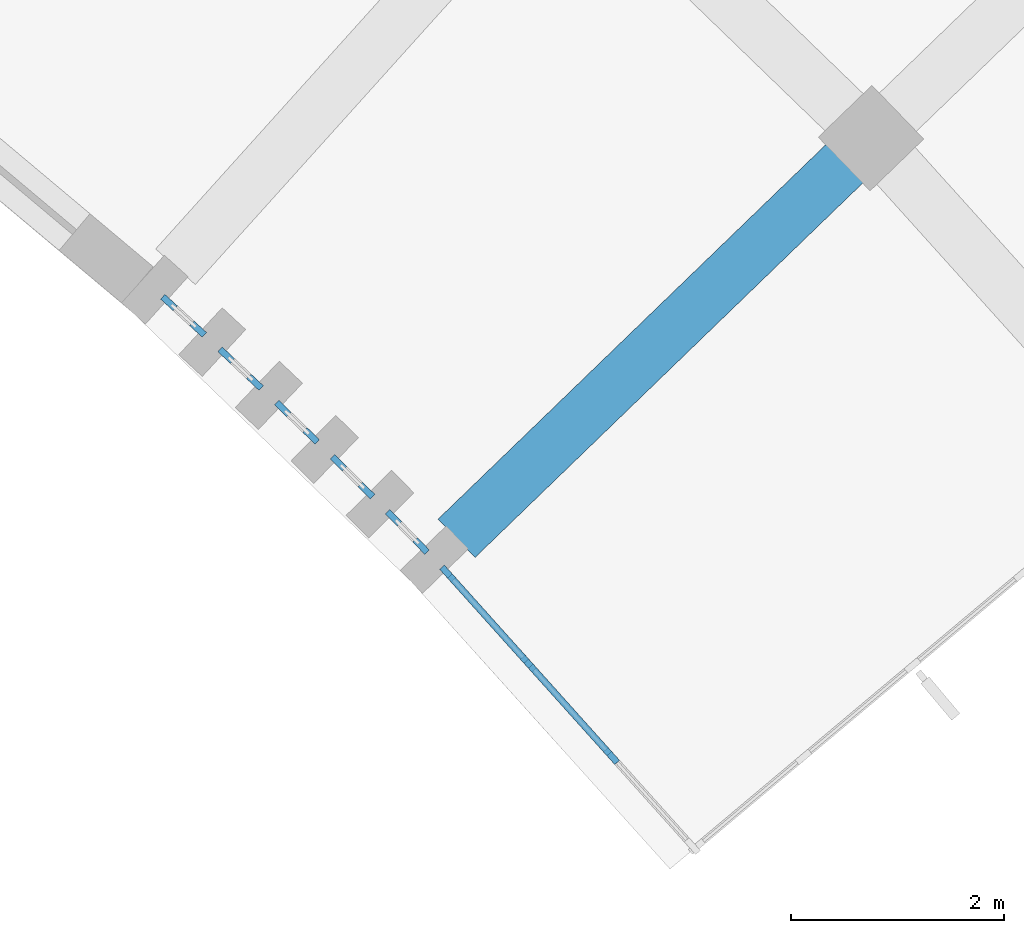
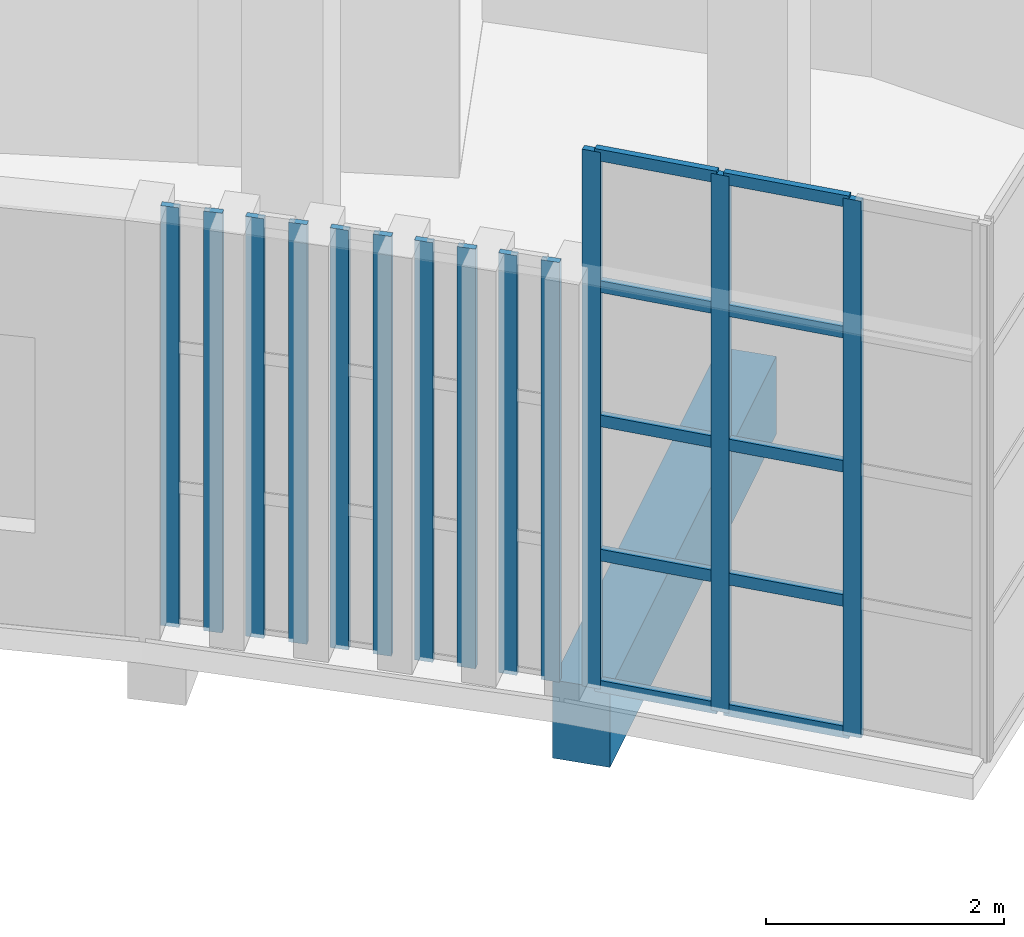
# One storey, part 10 of 112: 23 members, 1 beam, 6 elements without a shape of their own.
"""IFC4 building model written with IfcOpenShell, lengths in metres."""

from ifc_helpers import new_model, si_unit, direction, frame, origin, origin_2d, place, context, subcontext, project, spatial, rectangle, extrude, material, layer, layer_set, material_profile, profile_set, type_object, element, aggregate, save


model = new_model("IFC4")

# Units and contexts
model_context = context("Model", 3, precision=1e-05, world=origin(), true_north=direction((0.0, 1.0)))
body_context = subcontext(model_context, "Body", "Model", "MODEL_VIEW")
ifc_project = project(units=[si_unit("LENGTHUNIT", "METRE"), si_unit("AREAUNIT", "SQUARE_METRE"), si_unit("VOLUMEUNIT", "CUBIC_METRE"), si_unit("PLANEANGLEUNIT", "RADIAN"), si_unit("MASSUNIT", "GRAM", prefix="KILO")], contexts=[model_context])

# Site, building, storey
site_placement = place(None, origin())
site = spatial("IfcSite", under=ifc_project, at=site_placement, CompositionType="ELEMENT")
building_placement = place(site_placement, origin())
building = spatial("IfcBuilding", under=site, at=building_placement, Name="Lunette Opera House", CompositionType="ELEMENT")
storey_placement = place(building_placement, frame((0.0, 0.0, 6.0)))
storey = spatial("IfcBuildingStorey", under=building, at=storey_placement, Name="L01", CompositionType="ELEMENT", Elevation=6.0)

# Curtain wall, members
ifc_material_1 = material(Name="Aluminium", Category="aluminium")
ifc_layer_1 = layer(ifc_material_1, 0.1201171875)
ifc_layer_set_1 = layer_set([ifc_layer_1], Name="Aluminium")
curtain_wall_type_1 = type_object("IfcCurtainWallType", Name="SLOT CURTAIN WALL", PredefinedType="NOTDEFINED", material=ifc_layer_set_1)
curtain_wall_1_placement = place(storey_placement, origin())
curtain_wall_1 = element("IfcCurtainWall", 1, at=curtain_wall_1_placement, inside=storey, type_object=curtain_wall_type_1, Name="Slot Curtain Wall CS076 L01", PredefinedType="NOTDEFINED")
ifc_material_2 = material(Name="Aluminium", Category="aluminium")
ifc_material_profile_1 = material_profile(ifc_material_2, rectangle(XDim=0.06005859375, YDim=0.159912109375, at=origin_2d()), Name="MULLION 60 X 160")
ifc_profile_set_1 = profile_set([ifc_material_profile_1], Name="Aluminium")
member_type_1 = type_object("IfcMemberType", Name="MULLION 60 X 160", PredefinedType="MULLION", material=ifc_profile_set_1)
member_1_placement = place(storey_placement, frame((131.129150390625, 38.745849609375, 0.0), z_axis=(0.0, 0.0, 1.0), x_axis=(0.673828488716, 0.738887791071, 0.0)))
member_1 = element("IfcMember", 2, at=member_1_placement, type_object=member_type_1, Name="FC-X2152 mullion 1", PredefinedType="MULLION", context=body_context, shape_type="SweptSolid", body=[
    extrude(rectangle(XDim=0.06005859375, YDim=0.159912109375, at=origin_2d()), origin(), (0.0, 0.0, 1.0), 4.300048828125),
])
member_2_placement = place(storey_placement, frame((131.40283203125, 38.49609375, 0.0), z_axis=(0.0, 0.0, 1.0), x_axis=(0.673828488716, 0.738887791071, 0.0)))
member_2 = element("IfcMember", 3, at=member_2_placement, type_object=member_type_1, Name="FC-X2152 mullion 2", PredefinedType="MULLION", context=body_context, shape_type="SweptSolid", body=[
    extrude(rectangle(XDim=0.06005859375, YDim=0.159912109375, at=origin_2d()), origin(), (0.0, 0.0, 1.0), 4.300048828125),
])
aggregate(curtain_wall_1, [member_1, member_2])

curtain_wall_2_placement = place(storey_placement, origin())
curtain_wall_2 = element("IfcCurtainWall", 4, at=curtain_wall_2_placement, inside=storey, type_object=curtain_wall_type_1, Name="Slot Curtain Wall CS077 L01", PredefinedType="NOTDEFINED")
member_3_placement = place(storey_placement, frame((131.666748046875, 38.25146484375, 0.0), z_axis=(0.0, 0.0, 1.0), x_axis=(0.685872190933, 0.727722019527, 0.0)))
member_3 = element("IfcMember", 5, at=member_3_placement, type_object=member_type_1, Name="FC-X2154 mullion 1", PredefinedType="MULLION", context=body_context, shape_type="SweptSolid", body=[
    extrude(rectangle(XDim=0.06005859375, YDim=0.159912109375, at=origin_2d()), origin(), (0.0, 0.0, 1.0), 4.300048828125),
])
member_4_placement = place(storey_placement, frame((131.936279296875, 37.99755859375, 0.0), z_axis=(0.0, 0.0, 1.0), x_axis=(0.685872190933, 0.727722019527, 0.0)))
member_4 = element("IfcMember", 6, at=member_4_placement, type_object=member_type_1, Name="FC-X2154 mullion 2", PredefinedType="MULLION", context=body_context, shape_type="SweptSolid", body=[
    extrude(rectangle(XDim=0.06005859375, YDim=0.159912109375, at=origin_2d()), origin(), (0.0, 0.0, 1.0), 4.300048828125),
])
aggregate(curtain_wall_2, [member_3, member_4])

curtain_wall_3_placement = place(storey_placement, origin())
curtain_wall_3 = element("IfcCurtainWall", 7, at=curtain_wall_3_placement, inside=storey, type_object=curtain_wall_type_1, Name="Slot Curtain Wall CS078 L01", PredefinedType="NOTDEFINED")
member_5_placement = place(storey_placement, frame((132.197509765625, 37.750244140625, 0.0), z_axis=(0.0, 0.0, 1.0), x_axis=(0.695382685751, 0.718639631775, 0.0)))
member_5 = element("IfcMember", 8, at=member_5_placement, type_object=member_type_1, Name="FC-X2156 mullion 1", PredefinedType="MULLION", context=body_context, shape_type="SweptSolid", body=[
    extrude(rectangle(XDim=0.06005859375, YDim=0.159912109375, at=origin_2d()), origin(), (0.0, 0.0, 1.0), 4.300048828125),
])
member_6_placement = place(storey_placement, frame((132.46337890625, 37.492919921875, 0.0), z_axis=(0.0, 0.0, 1.0), x_axis=(0.695382685751, 0.718639631775, 0.0)))
member_6 = element("IfcMember", 9, at=member_6_placement, type_object=member_type_1, Name="FC-X2156 mullion 2", PredefinedType="MULLION", context=body_context, shape_type="SweptSolid", body=[
    extrude(rectangle(XDim=0.06005859375, YDim=0.159912109375, at=origin_2d()), origin(), (0.0, 0.0, 1.0), 4.300048828125),
])
aggregate(curtain_wall_3, [member_5, member_6])

curtain_wall_4_placement = place(storey_placement, origin())
curtain_wall_4 = element("IfcCurtainWall", 10, at=curtain_wall_4_placement, inside=storey, type_object=curtain_wall_type_1, Name="Slot Curtain Wall CS079 L01", PredefinedType="NOTDEFINED")
member_7_placement = place(storey_placement, frame((132.72021484375, 37.240966796875, 0.0), z_axis=(0.0, 0.0, 1.0), x_axis=(0.703614959454, 0.710581444194, 0.0)))
member_7 = element("IfcMember", 11, at=member_7_placement, type_object=member_type_1, Name="FC-X2158 mullion 1", PredefinedType="MULLION", context=body_context, shape_type="SweptSolid", body=[
    extrude(rectangle(XDim=0.06005859375, YDim=0.159912109375, at=origin_2d()), origin(), (0.0, 0.0, 1.0), 4.300048828125),
])
member_8_placement = place(storey_placement, frame((132.983642578125, 36.980224609375, 0.0), z_axis=(0.0, 0.0, 1.0), x_axis=(0.703614959454, 0.710581444194, 0.0)))
member_8 = element("IfcMember", 12, at=member_8_placement, type_object=member_type_1, Name="FC-X2158 mullion 2", PredefinedType="MULLION", context=body_context, shape_type="SweptSolid", body=[
    extrude(rectangle(XDim=0.06005859375, YDim=0.159912109375, at=origin_2d()), origin(), (0.0, 0.0, 1.0), 4.300048828125),
])
aggregate(curtain_wall_4, [member_7, member_8])

curtain_wall_5_placement = place(storey_placement, origin())
curtain_wall_5 = element("IfcCurtainWall", 13, at=curtain_wall_5_placement, inside=storey, type_object=curtain_wall_type_1, Name="Slot Curtain Wall CS080 L01", PredefinedType="NOTDEFINED")
member_9_placement = place(storey_placement, frame((133.237060546875, 36.724609375, 0.0), z_axis=(0.0, 0.0, 1.0), x_axis=(0.715187202406, 0.698932947796, 0.0)))
member_9 = element("IfcMember", 14, at=member_9_placement, type_object=member_type_1, Name="FC-X2160 mullion 1", PredefinedType="MULLION", context=body_context, shape_type="SweptSolid", body=[
    extrude(rectangle(XDim=0.06005859375, YDim=0.159912109375, at=origin_2d()), origin(), (0.0, 0.0, 1.0), 4.300048828125),
])
member_10_placement = place(storey_placement, frame((133.49609375, 36.45947265625, 0.0), z_axis=(0.0, 0.0, 1.0), x_axis=(0.715187202406, 0.698932947796, 0.0)))
member_10 = element("IfcMember", 15, at=member_10_placement, type_object=member_type_1, Name="FC-X2160 mullion 2", PredefinedType="MULLION", context=body_context, shape_type="SweptSolid", body=[
    extrude(rectangle(XDim=0.06005859375, YDim=0.159912109375, at=origin_2d()), origin(), (0.0, 0.0, 1.0), 4.300048828125),
])
aggregate(curtain_wall_5, [member_9, member_10])

ifc_material_3 = material(Name="Aluminium", Category="aluminium")
ifc_layer_2 = layer(ifc_material_3, 0.159912109375)
ifc_layer_set_2 = layer_set([ifc_layer_2], Name="Aluminium")
curtain_wall_type_2 = type_object("IfcCurtainWallType", Name="CORNER CURTAIN WALL", PredefinedType="NOTDEFINED", material=ifc_layer_set_2)
curtain_wall_6_placement = place(storey_placement, origin())
curtain_wall_6 = element("IfcCurtainWall", 16, at=curtain_wall_6_placement, inside=storey, type_object=curtain_wall_type_2, Name="Corner Curtain Wall GC-E1 L01", PredefinedType="NOTDEFINED")
member_11_placement = place(storey_placement, frame((133.74609375, 36.20068359375, 0.0), z_axis=(0.0, 0.0, 1.0), x_axis=(0.744216793887, 0.667938143615, 0.0)))
member_11 = element("IfcMember", 17, at=member_11_placement, type_object=member_type_1, Name="FC-X2173 mullion 1", PredefinedType="MULLION", context=body_context, shape_type="SweptSolid", body=[
    extrude(rectangle(XDim=0.06005859375, YDim=0.159912109375, at=origin_2d()), origin(), (0.0, 0.0, 1.0), 5.5),
])
member_12_placement = place(storey_placement, frame((134.50537109375, 35.354736328125, 0.0), z_axis=(0.0, 0.0, 1.0), x_axis=(0.744216793887, 0.667938143615, 0.0)))
member_12 = element("IfcMember", 18, at=member_12_placement, type_object=member_type_1, Name="FC-X2173 mullion 2", PredefinedType="MULLION", context=body_context, shape_type="SweptSolid", body=[
    extrude(rectangle(XDim=0.06005859375, YDim=0.159912109375, at=origin_2d()), origin(), (0.0, 0.0, 1.0), 5.5),
])
member_13_placement = place(storey_placement, frame((135.28466796875, 34.486328125, 0.0), z_axis=(0.0, 0.0, 1.0), x_axis=(0.744216793887, 0.667938143615, 0.0)))
member_13 = element("IfcMember", 19, at=member_13_placement, type_object=member_type_1, Name="FC-X2173 mullion 3", PredefinedType="MULLION", context=body_context, shape_type="SweptSolid", body=[
    extrude(rectangle(XDim=0.06005859375, YDim=0.159912109375, at=origin_2d()), origin(), (0.0, 0.0, 1.0), 5.5),
])

# Beam
ifc_material_4 = material(Name="Concrete C35/45", Category="concrete")
ifc_material_profile_2 = material_profile(ifc_material_4, rectangle(XDim=0.5, YDim=0.800048828125, at=origin_2d()), Name="RC BEAM 500X800")
ifc_profile_set_2 = profile_set([ifc_material_profile_2], Name="Concrete C35/45")
beam_type = type_object("IfcBeamType", Name="RC BEAM 500X800", PredefinedType="BEAM", material=ifc_profile_set_2)
beam_placement = place(storey_placement, frame((133.830078125, 36.531982421875, -0.6201171875), z_axis=(0.719326780477, 0.694671852668, 0.0), x_axis=(-0.694671852668, 0.719326780477, 0.0)))
element("IfcBeam", 20, at=beam_placement, inside=storey, type_object=beam_type, Name="beam-FC-L01-L01-RB-RL-25-1", PredefinedType="BEAM", context=body_context, shape_type="SweptSolid", body=[
    extrude(rectangle(XDim=0.5, YDim=0.800048828125, at=origin_2d()), origin(), (0.0, 0.0, 1.0), 5.070068359375),
])

# Member
ifc_material_5 = material(Name="Aluminium", Category="aluminium")
ifc_material_profile_3 = material_profile(ifc_material_5, rectangle(XDim=0.06005859375, YDim=0.1201171875, at=origin_2d()), Name="TRANSOM 60 X 120")
ifc_profile_set_3 = profile_set([ifc_material_profile_3], Name="Aluminium")
member_type_2 = type_object("IfcMemberType", Name="TRANSOM 60 X 120", PredefinedType="USERDEFINED", material=ifc_profile_set_3)
member_14_placement = place(storey_placement, frame((133.76611328125, 36.178466796875, 0.030029296875), z_axis=(0.667874323451, -0.744274067851, 0.0), x_axis=(0.744274067851, 0.667874323451, 0.0)))
member_14 = element("IfcMember", 21, at=member_14_placement, type_object=member_type_2, Name="FC-X2173 transom 1.1", ObjectType="TRANSOM", PredefinedType="USERDEFINED", context=body_context, shape_type="SweptSolid", body=[
    extrude(rectangle(XDim=0.06005859375, YDim=0.1201171875, at=origin_2d()), origin(), (0.0, 0.0, 1.0), 1.076904296875),
])

member_15_placement = place(storey_placement, frame((133.76611328125, 36.178466796875, 1.375), z_axis=(0.667874323451, -0.744274067851, 0.0), x_axis=(0.744274067851, 0.667874323451, 0.0)))
member_15 = element("IfcMember", 22, at=member_15_placement, type_object=member_type_2, Name="FC-X2173 transom 1.2", ObjectType="TRANSOM", PredefinedType="USERDEFINED", context=body_context, shape_type="SweptSolid", body=[
    extrude(rectangle(XDim=0.06005859375, YDim=0.1201171875, at=origin_2d()), origin(), (0.0, 0.0, 1.0), 1.076904296875),
])

member_16_placement = place(storey_placement, frame((133.76611328125, 36.178466796875, 2.75), z_axis=(0.667874323451, -0.744274067851, 0.0), x_axis=(0.744274067851, 0.667874323451, 0.0)))
member_16 = element("IfcMember", 23, at=member_16_placement, type_object=member_type_2, Name="FC-X2173 transom 1.3", ObjectType="TRANSOM", PredefinedType="USERDEFINED", context=body_context, shape_type="SweptSolid", body=[
    extrude(rectangle(XDim=0.06005859375, YDim=0.1201171875, at=origin_2d()), origin(), (0.0, 0.0, 1.0), 1.076904296875),
])

member_17_placement = place(storey_placement, frame((133.76611328125, 36.178466796875, 4.125), z_axis=(0.667874323451, -0.744274067851, 0.0), x_axis=(0.744274067851, 0.667874323451, 0.0)))
member_17 = element("IfcMember", 24, at=member_17_placement, type_object=member_type_2, Name="FC-X2173 transom 1.4", ObjectType="TRANSOM", PredefinedType="USERDEFINED", context=body_context, shape_type="SweptSolid", body=[
    extrude(rectangle(XDim=0.06005859375, YDim=0.1201171875, at=origin_2d()), origin(), (0.0, 0.0, 1.0), 1.076904296875),
])

member_18_placement = place(storey_placement, frame((133.76611328125, 36.178466796875, 5.469970703125), z_axis=(0.667874323451, -0.744274067851, 0.0), x_axis=(0.744274067851, 0.667874323451, 0.0)))
member_18 = element("IfcMember", 25, at=member_18_placement, type_object=member_type_2, Name="FC-X2173 transom 1.5", ObjectType="TRANSOM", PredefinedType="USERDEFINED", context=body_context, shape_type="SweptSolid", body=[
    extrude(rectangle(XDim=0.06005859375, YDim=0.1201171875, at=origin_2d()), origin(), (0.0, 0.0, 1.0), 1.076904296875),
])

member_19_placement = place(storey_placement, frame((134.525390625, 35.332275390625, 0.030029296875), z_axis=(0.667916007316, -0.744236660728, 0.0), x_axis=(0.744236660728, 0.667916007316, 0.0)))
member_19 = element("IfcMember", 26, at=member_19_placement, type_object=member_type_2, Name="FC-X2173 transom 2.1", ObjectType="TRANSOM", PredefinedType="USERDEFINED", context=body_context, shape_type="SweptSolid", body=[
    extrude(rectangle(XDim=0.06005859375, YDim=0.1201171875, at=origin_2d()), origin(), (0.0, 0.0, 1.0), 1.10693359375),
])

member_20_placement = place(storey_placement, frame((134.525390625, 35.332275390625, 1.375), z_axis=(0.667916007316, -0.744236660728, 0.0), x_axis=(0.744236660728, 0.667916007316, 0.0)))
member_20 = element("IfcMember", 27, at=member_20_placement, type_object=member_type_2, Name="FC-X2173 transom 2.2", ObjectType="TRANSOM", PredefinedType="USERDEFINED", context=body_context, shape_type="SweptSolid", body=[
    extrude(rectangle(XDim=0.06005859375, YDim=0.1201171875, at=origin_2d()), origin(), (0.0, 0.0, 1.0), 1.10693359375),
])

member_21_placement = place(storey_placement, frame((134.525390625, 35.332275390625, 2.75), z_axis=(0.667916007316, -0.744236660728, 0.0), x_axis=(0.744236660728, 0.667916007316, 0.0)))
member_21 = element("IfcMember", 28, at=member_21_placement, type_object=member_type_2, Name="FC-X2173 transom 2.3", ObjectType="TRANSOM", PredefinedType="USERDEFINED", context=body_context, shape_type="SweptSolid", body=[
    extrude(rectangle(XDim=0.06005859375, YDim=0.1201171875, at=origin_2d()), origin(), (0.0, 0.0, 1.0), 1.10693359375),
])

member_22_placement = place(storey_placement, frame((134.525390625, 35.332275390625, 4.125), z_axis=(0.667916007316, -0.744236660728, 0.0), x_axis=(0.744236660728, 0.667916007316, 0.0)))
member_22 = element("IfcMember", 29, at=member_22_placement, type_object=member_type_2, Name="FC-X2173 transom 2.4", ObjectType="TRANSOM", PredefinedType="USERDEFINED", context=body_context, shape_type="SweptSolid", body=[
    extrude(rectangle(XDim=0.06005859375, YDim=0.1201171875, at=origin_2d()), origin(), (0.0, 0.0, 1.0), 1.10693359375),
])

member_23_placement = place(storey_placement, frame((134.525390625, 35.332275390625, 5.469970703125), z_axis=(0.667916007316, -0.744236660728, 0.0), x_axis=(0.744236660728, 0.667916007316, 0.0)))
member_23 = element("IfcMember", 30, at=member_23_placement, type_object=member_type_2, Name="FC-X2173 transom 2.5", ObjectType="TRANSOM", PredefinedType="USERDEFINED", context=body_context, shape_type="SweptSolid", body=[
    extrude(rectangle(XDim=0.06005859375, YDim=0.1201171875, at=origin_2d()), origin(), (0.0, 0.0, 1.0), 1.10693359375),
])

aggregate(curtain_wall_6, [member_11, member_12, member_13, member_14, member_15, member_16, member_17, member_18, member_19, member_20, member_21, member_22, member_23])

save(model, "model.ifc")
